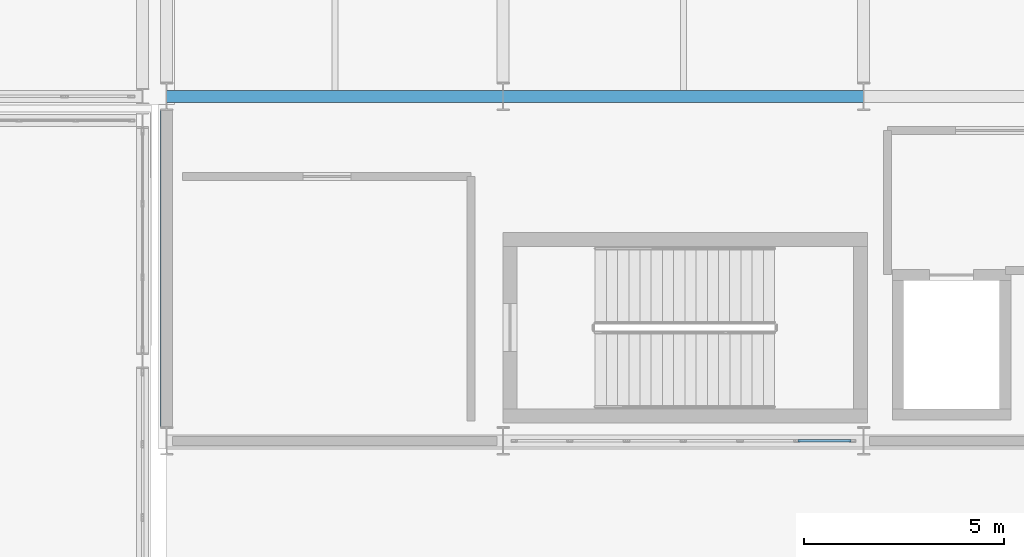
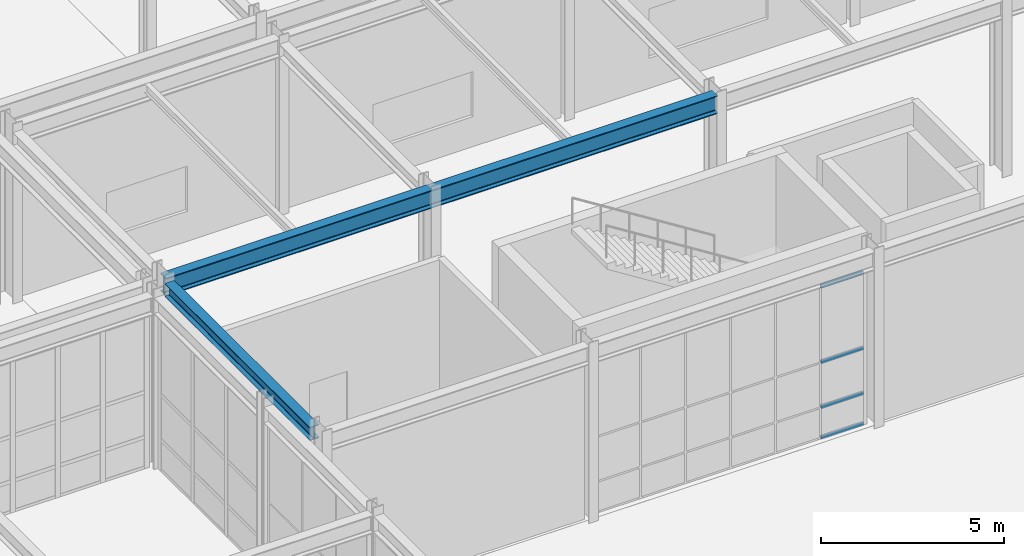
# One storey, part 59 of 146: 4 members, 3 beams, 1 element without a shape of its own.
"""IFC4 building model written with IfcOpenShell, lengths in metres."""

from ifc_helpers import new_model, si_unit, direction, frame, origin, origin_2d, place, context, subcontext, project, spatial, hollow_rectangle, i_section, extrude, material, material_profile, profile_set, type_object, element, aggregate, save


model = new_model("IFC4")

# Units and contexts
model_context = context("Model", 3, precision=1e-05, world=origin(), true_north=direction((0.0, 1.0)))
body_context = subcontext(model_context, "Body", "Model", "MODEL_VIEW")
ifc_project = project(units=[si_unit("LENGTHUNIT", "METRE"), si_unit("AREAUNIT", "SQUARE_METRE"), si_unit("VOLUMEUNIT", "CUBIC_METRE"), si_unit("PLANEANGLEUNIT", "RADIAN"), si_unit("MASSUNIT", "GRAM", prefix="KILO")], contexts=[model_context])

# Site, building, storey
site_placement = place(None, origin())
site = spatial("IfcSite", under=ifc_project, at=site_placement, CompositionType="ELEMENT")
building_placement = place(site_placement, origin())
building = spatial("IfcBuilding", under=site, at=building_placement, Name="Kaldris Quays Convention Centre", CompositionType="ELEMENT")
storey_placement = place(building_placement, origin())
storey = spatial("IfcBuildingStorey", under=building, at=storey_placement, Name="L00", CompositionType="ELEMENT", Elevation=0.0)

# Curtain wall, members
ifc_material_1 = material(Name="Anodized aluminium AW-6060 and triple glazing", Category="aluminium")
curtain_wall_type = type_object("IfcCurtainWallType", Name="UNITISED CURTAIN WALL CW04", PredefinedType="NOTDEFINED", material=ifc_material_1)
curtain_wall_placement = place(storey_placement, origin())
curtain_wall = element("IfcCurtainWall", 1, at=curtain_wall_placement, inside=storey, type_object=curtain_wall_type, Name="L00 Unitised Curtain Wall CW04 104", PredefinedType="NOTDEFINED")
ifc_material_2 = material(Name="Anodized aluminium AW-6060", Category="aluminium")
ifc_material_profile_1 = material_profile(ifc_material_2, hollow_rectangle(XDim=0.06005859375, YDim=0.1201171875, WallThickness=0.00390625, at=origin_2d()), Name="RHS 120x60x4")
ifc_profile_set_1 = profile_set([ifc_material_profile_1], Name="Anodized aluminium AW-6060")
member_type = type_object("IfcMemberType", Name="CURTAIN TRANSOM CWT1", PredefinedType="USERDEFINED", material=ifc_profile_set_1)
member_1_placement = place(storey_placement, frame((99.36328125, 38.0, 0.030029296875), z_axis=(1.0, 0.0, 0.0), x_axis=(0.0, 1.0, 0.0)))
member_1 = element("IfcMember", 2, at=member_1_placement, type_object=member_type, Name="CW04 transom 6.1", ObjectType="TRANSOM", PredefinedType="USERDEFINED", context=body_context, shape_type="SweptSolid", body=[
    extrude(hollow_rectangle(XDim=0.06005859375, YDim=0.1201171875, WallThickness=0.00390625, at=origin_2d()), origin(), (0.0, 0.0, 1.0), 1.32666015625),
])
member_2_placement = place(storey_placement, frame((99.36328125, 38.0, 1.050048828125), z_axis=(1.0, 0.0, 0.0), x_axis=(0.0, 1.0, 0.0)))
member_2 = element("IfcMember", 3, at=member_2_placement, type_object=member_type, Name="CW04 transom 6.2", ObjectType="TRANSOM", PredefinedType="USERDEFINED", context=body_context, shape_type="SweptSolid", body=[
    extrude(hollow_rectangle(XDim=0.06005859375, YDim=0.1201171875, WallThickness=0.00390625, at=origin_2d()), origin(), (0.0, 0.0, 1.0), 1.32666015625),
])
member_3_placement = place(storey_placement, frame((99.36328125, 38.0, 2.549072265625), z_axis=(1.0, 0.0, 0.0), x_axis=(0.0, 1.0, 0.0)))
member_3 = element("IfcMember", 4, at=member_3_placement, type_object=member_type, Name="CW04 transom 6.3", ObjectType="TRANSOM", PredefinedType="USERDEFINED", context=body_context, shape_type="SweptSolid", body=[
    extrude(hollow_rectangle(XDim=0.06005859375, YDim=0.1201171875, WallThickness=0.00390625, at=origin_2d()), origin(), (0.0, 0.0, 1.0), 1.32666015625),
])
member_4_placement = place(storey_placement, frame((99.36328125, 38.0, 5.068115234375), z_axis=(1.0, 0.0, 0.0), x_axis=(0.0, 1.0, 0.0)))
member_4 = element("IfcMember", 5, at=member_4_placement, type_object=member_type, Name="CW04 transom 6.4", ObjectType="TRANSOM", PredefinedType="USERDEFINED", context=body_context, shape_type="SweptSolid", body=[
    extrude(hollow_rectangle(XDim=0.06005859375, YDim=0.1201171875, WallThickness=0.00390625, at=origin_2d()), origin(), (0.0, 0.0, 1.0), 1.32666015625),
])
aggregate(curtain_wall, [member_1, member_2, member_3, member_4])

# Beams
ifc_material_3 = material(Name="Steel S355J2", Category="steel")
ifc_material_profile_2 = material_profile(ifc_material_3, i_section(OverallWidth=0.300048828125, OverallDepth=0.60009765625, WebThickness=0.015380859375, FlangeThickness=0.030029296875, FilletRadius=0.027099609375, at=origin_2d()), Name="HEB 600")
ifc_profile_set_2 = profile_set([ifc_material_profile_2], Name="Steel S355J2")
beam_type_1 = type_object("IfcBeamType", Name="STRUCTURAL BEAM BM05", PredefinedType="BEAM", material=ifc_profile_set_2)
beam_1_placement = place(storey_placement, frame((83.6025390625, 46.60009765625, 5.423095703125), z_axis=(1.0, 0.0, 0.0), x_axis=(0.0, 1.0, 0.0)))
element("IfcBeam", 6, at=beam_1_placement, inside=storey, type_object=beam_type_1, Name="L00 Girder BM05 10", PredefinedType="BEAM", context=body_context, shape_type="SweptSolid", body=[
    extrude(i_section(OverallWidth=0.300048828125, OverallDepth=0.60009765625, WebThickness=0.015380859375, FlangeThickness=0.030029296875, FilletRadius=0.027099609375, at=origin_2d()), origin(), (0.0, 0.0, 1.0), 8.39501953125),
])
beam_2_placement = place(storey_placement, frame((92.00244140625, 46.60009765625, 5.423095703125), z_axis=(1.0, 0.0, 0.0), x_axis=(0.0, 1.0, 0.0)))
element("IfcBeam", 7, at=beam_2_placement, inside=storey, type_object=beam_type_1, Name="L00 Girder BM05 11", PredefinedType="BEAM", context=body_context, shape_type="SweptSolid", body=[
    extrude(i_section(OverallWidth=0.300048828125, OverallDepth=0.60009765625, WebThickness=0.015380859375, FlangeThickness=0.030029296875, FilletRadius=0.027099609375, at=origin_2d()), origin(), (0.0, 0.0, 1.0), 8.9951171875),
])
ifc_material_profile_3 = material_profile(ifc_material_3, i_section(OverallWidth=0.300048828125, OverallDepth=0.449951171875, WebThickness=0.013916015625, FlangeThickness=0.02587890625, FilletRadius=0.027099609375, at=origin_2d()), Name="HEB 450")
ifc_profile_set_3 = profile_set([ifc_material_profile_3], Name="Steel S355J2")
beam_type_2 = type_object("IfcBeamType", Name="STRUCTURAL BEAM BM07", PredefinedType="BEAM", material=ifc_profile_set_3)
beam_3_placement = place(storey_placement, frame((83.60009765625, 38.343994140625, 5.498046875), z_axis=(0.0, 1.0, 0.0), x_axis=(-1.0, 0.0, 0.0)))
element("IfcBeam", 8, at=beam_3_placement, inside=storey, type_object=beam_type_2, Name="L00 Girder BM07 56", PredefinedType="BEAM", context=body_context, shape_type="SweptSolid", body=[
    extrude(i_section(OverallWidth=0.300048828125, OverallDepth=0.449951171875, WebThickness=0.013916015625, FlangeThickness=0.02587890625, FilletRadius=0.027099609375, at=origin_2d()), origin(), (0.0, 0.0, 1.0), 7.912109375),
])

save(model, "model.ifc")
